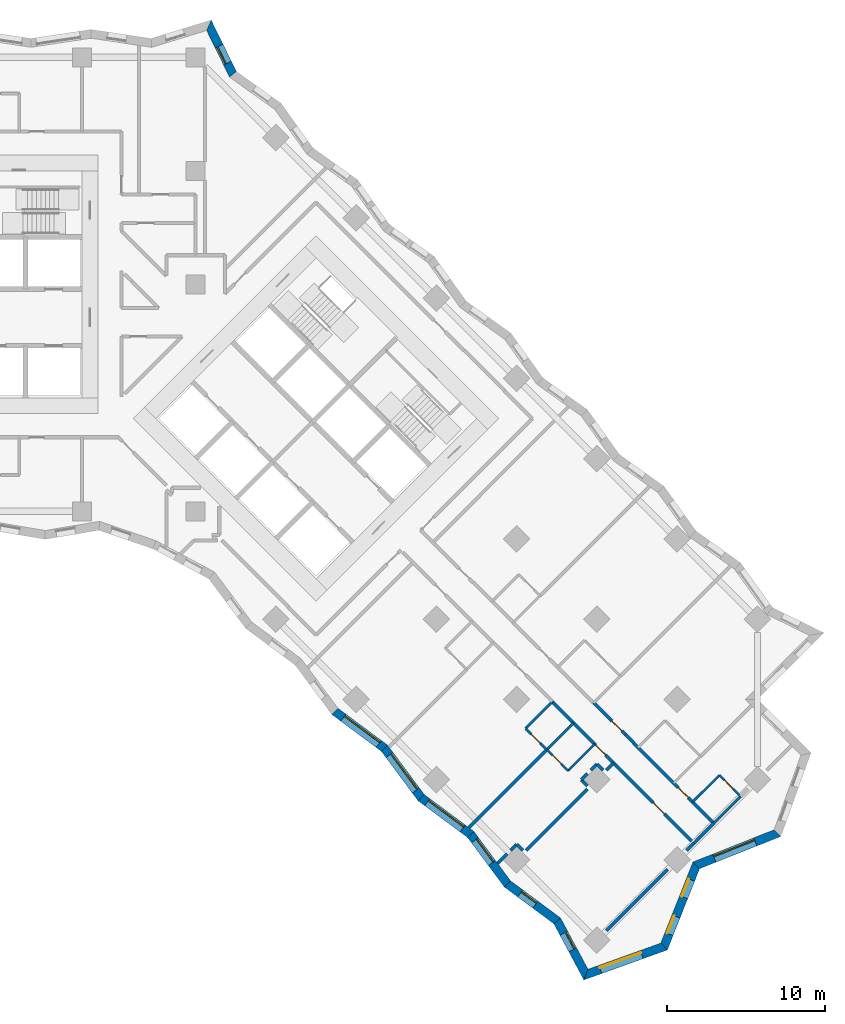
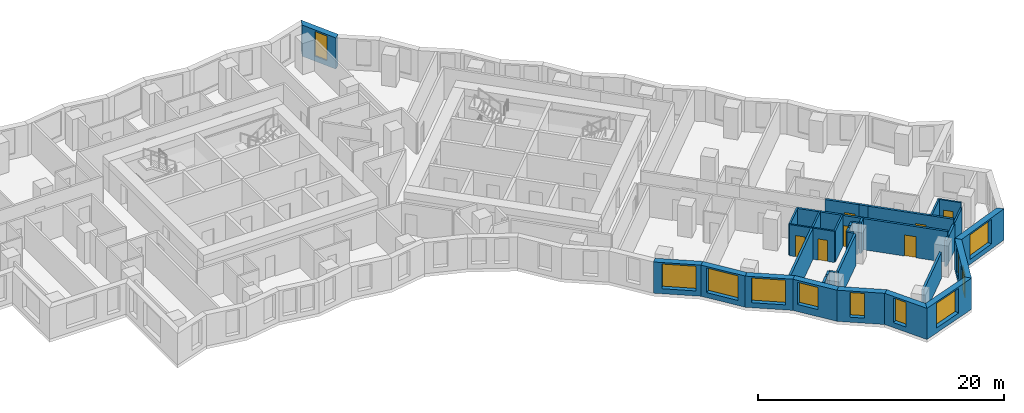
# One storey, part 7 of 12: 35 walls, 11 windows, 7 doors, 18 openings.
"""IFC4 building model written with IfcOpenShell, lengths in metres."""

from ifc_helpers import new_model, si_unit, direction, frame, frame_2d, origin, place, context, subcontext, project, spatial, polyline, rectangle, outline, extrude, material, layer, layer_set, type_object, element, fill, save


model = new_model("IFC4")

# Units and contexts
model_context = context("Model", 3, precision=1e-05, world=origin(), true_north=direction((0.0, 1.0)))
body_context = subcontext(model_context, "Body", "Model", "MODEL_VIEW")
ifc_project = project(units=[si_unit("LENGTHUNIT", "METRE"), si_unit("AREAUNIT", "SQUARE_METRE"), si_unit("VOLUMEUNIT", "CUBIC_METRE"), si_unit("PLANEANGLEUNIT", "RADIAN"), si_unit("MASSUNIT", "GRAM", prefix="KILO")], contexts=[model_context])

# Site, building, storey
site_placement = place(None, origin())
site = spatial("IfcSite", under=ifc_project, at=site_placement, CompositionType="ELEMENT")
building_placement = place(site_placement, origin())
building = spatial("IfcBuilding", under=site, at=building_placement, Name="Windrow Commons", CompositionType="ELEMENT")
storey_placement = place(building_placement, frame((0.0, 0.0, 57.6)))
storey = spatial("IfcBuildingStorey", under=building, at=storey_placement, Name="L15", CompositionType="ELEMENT", Elevation=57.6)

# Wall, opening, window
ifc_material_1 = material(Name="Brick masonry, red clay brick", Category="masonry")
ifc_layer_1 = layer(ifc_material_1, 0.55)
ifc_layer_set_1 = layer_set([ifc_layer_1], Name="Brick facade wall 550")
wall_type_1 = type_object("IfcWallType", Name="Brick facade wall 550", PredefinedType="SOLIDWALL", material=ifc_layer_set_1)
wall_1_placement = place(storey_placement, frame((103.9575, 13.8105, 0.0), z_axis=(0.0, 0.0, 1.0), x_axis=(0.9410697135, 0.3382126465, 0.0)))
wall_1 = element("IfcWall", 1, at=wall_1_placement, inside=storey, type_object=wall_type_1, Name="Brick facade wall L15 1", PredefinedType="SOLIDWALL", context=body_context, shape_type="SweptSolid", body=[
    extrude(outline(polyline([(-0.2375, -0.275), (5.3927, -0.275), (5.1444, 0.275), (0.2375, 0.275), (-0.2375, -0.275)])), origin(), (0.0, 0.0, 1.0), 3.1),
])
opening_1_placement = place(wall_1_placement, frame((0.9665, 0.0, 0.5)))
opening_1 = element("IfcOpeningElement", 2, at=opening_1_placement, cuts=wall_1, Name="Opening W1T", PredefinedType="OPENING", context=body_context, shape_type="SweptSolid", body=[
    extrude(rectangle(XDim=2.8, YDim=2.45, at=frame_2d((1.4, 1.225))), frame((0.0, 0.285, 0.0), z_axis=(0.0, -1.0, 0.0), x_axis=(1.0, 0.0, 0.0)), (0.0, 0.0, 1.0), 0.57),
])
ifc_material_2 = material(Name="Clear float glass in anodised aluminium frame", Category="aluminium")
window_type_1 = type_object("IfcWindowType", Name="Window W1T bedroom 2800x2450", PartitioningType="SINGLE_PANEL", PredefinedType="WINDOW", material=ifc_material_2)
window_1_placement = place(opening_1_placement, origin())
window_1 = element("IfcWindow", 3, at=window_1_placement, inside=storey, type_object=window_type_1, Name="Window L15 1.1", OverallHeight=2.45, OverallWidth=2.8, PartitioningType="SINGLE_PANEL", PredefinedType="WINDOW", context=body_context, shape_type="SweptSolid", body=[
    extrude(rectangle(XDim=2.8, YDim=2.45, at=frame_2d((1.4, 1.225))), frame((0.0, 0.155, 0.0), z_axis=(0.0, -1.0, 0.0), x_axis=(1.0, 0.0, 0.0)), (0.0, 0.0, 1.0), 0.06),
])
fill(opening_1, window_1)

# Wall, openings, windows
wall_2_placement = place(storey_placement, frame((108.9156, 15.5924, 0.0), z_axis=(0.0, 0.0, 1.0), x_axis=(0.36873566, 0.929534299, 0.0)))
wall_2 = element("IfcWall", 4, at=wall_2_placement, inside=storey, type_object=wall_type_1, Name="Brick facade wall L15 2", PredefinedType="SOLIDWALL", context=body_context, shape_type="SweptSolid", body=[
    extrude(outline(polyline([(-0.1242, -0.275), (5.4237, -0.275), (5.6613, 0.275), (0.1242, 0.275), (-0.1242, -0.275)])), origin(), (0.0, 0.0, 1.0), 3.1),
])
opening_2_placement = place(wall_2_placement, frame((0.8571, 0.0, 0.5)))
opening_2 = element("IfcOpeningElement", 5, at=opening_2_placement, cuts=wall_2, Name="Opening W7D", PredefinedType="OPENING", context=body_context, shape_type="SweptSolid", body=[
    extrude(rectangle(XDim=1.2, YDim=2.45, at=frame_2d((0.6, 1.225))), frame((0.0, 0.285, 0.0), z_axis=(0.0, -1.0, 0.0), x_axis=(1.0, 0.0, 0.0)), (0.0, 0.0, 1.0), 0.57),
])
opening_3_placement = place(wall_2_placement, frame((3.3663, 0.0, 0.5)))
opening_3 = element("IfcOpeningElement", 6, at=opening_3_placement, cuts=wall_2, Name="Opening W7D", PredefinedType="OPENING", context=body_context, shape_type="SweptSolid", body=[
    extrude(rectangle(XDim=1.2, YDim=2.45, at=frame_2d((0.6, 1.225))), frame((0.0, 0.285, 0.0), z_axis=(0.0, -1.0, 0.0), x_axis=(1.0, 0.0, 0.0)), (0.0, 0.0, 1.0), 0.57),
])
ifc_material_3 = material(Name="Clear float glass in anodised aluminium frame", Category="aluminium")
window_type_2 = type_object("IfcWindowType", Name="Window W7 notch 1200x2450", PartitioningType="SINGLE_PANEL", PredefinedType="WINDOW", material=ifc_material_3)
window_2_placement = place(opening_2_placement, origin())
window_2 = element("IfcWindow", 7, at=window_2_placement, inside=storey, type_object=window_type_2, Name="Window L15 2.1", OverallHeight=2.45, OverallWidth=1.2, PartitioningType="SINGLE_PANEL", PredefinedType="WINDOW", context=body_context, shape_type="SweptSolid", body=[
    extrude(rectangle(XDim=1.2, YDim=2.45, at=frame_2d((0.6, 1.225))), frame((0.0, 0.155, 0.0), z_axis=(0.0, -1.0, 0.0), x_axis=(1.0, 0.0, 0.0)), (0.0, 0.0, 1.0), 0.06),
])
fill(opening_2, window_2)
window_3_placement = place(opening_3_placement, origin())
window_3 = element("IfcWindow", 8, at=window_3_placement, inside=storey, type_object=window_type_2, Name="Window L15 2.2", OverallHeight=2.45, OverallWidth=1.2, PartitioningType="SINGLE_PANEL", PredefinedType="WINDOW", context=body_context, shape_type="SweptSolid", body=[
    extrude(rectangle(XDim=1.2, YDim=2.45, at=frame_2d((0.6, 1.225))), frame((0.0, 0.155, 0.0), z_axis=(0.0, -1.0, 0.0), x_axis=(1.0, 0.0, 0.0)), (0.0, 0.0, 1.0), 0.06),
])
fill(opening_3, window_3)

# Wall, opening, window
wall_3_placement = place(storey_placement, frame((110.9593, 20.7443, 0.0), z_axis=(0.0, 0.0, 1.0), x_axis=(0.929534299, 0.36873566, 0.0)))
wall_3 = element("IfcWall", 9, at=wall_3_placement, inside=storey, type_object=wall_type_1, Name="Brick facade wall L15 3", PredefinedType="SOLIDWALL", context=body_context, shape_type="SweptSolid", body=[
    extrude(outline(polyline([(0.1188, -0.275), (5.6666, -0.275), (5.4183, 0.275), (-0.1188, 0.275), (0.1188, -0.275)])), origin(), (0.0, 0.0, 1.0), 3.1),
])
opening_4_placement = place(wall_3_placement, frame((1.2257, 0.0, 0.5)))
opening_4 = element("IfcOpeningElement", 10, at=opening_4_placement, cuts=wall_3, Name="Opening W1T", PredefinedType="OPENING", context=body_context, shape_type="SweptSolid", body=[
    extrude(rectangle(XDim=2.8, YDim=2.45, at=frame_2d((1.4, 1.225))), frame((0.0, 0.285, 0.0), z_axis=(0.0, -1.0, 0.0), x_axis=(1.0, 0.0, 0.0)), (0.0, 0.0, 1.0), 0.57),
])
window_4_placement = place(opening_4_placement, origin())
window_4 = element("IfcWindow", 11, at=window_4_placement, inside=storey, type_object=window_type_1, Name="Window L15 3.1", OverallHeight=2.45, OverallWidth=2.8, PartitioningType="SINGLE_PANEL", PredefinedType="WINDOW", context=body_context, shape_type="SweptSolid", body=[
    extrude(rectangle(XDim=2.8, YDim=2.45, at=frame_2d((1.4, 1.225))), frame((0.0, 0.155, 0.0), z_axis=(0.0, -1.0, 0.0), x_axis=(1.0, 0.0, 0.0)), (0.0, 0.0, 1.0), 0.06),
])
fill(opening_4, window_4)

wall_4_placement = place(storey_placement, frame((81.5675, 70.9299, 0.0), z_axis=(0.0, 0.0, 1.0), x_axis=(-0.4410046113, 0.8975048372, 0.0)))
wall_4 = element("IfcWall", 12, at=wall_4_placement, inside=storey, type_object=wall_type_1, Name="Brick facade wall L15 22", PredefinedType="SOLIDWALL", context=body_context, shape_type="SweptSolid", body=[
    extrude(outline(polyline([(0.0693, -0.275), (3.7001, -0.275), (3.2309, 0.275), (-0.0693, 0.275), (0.0693, -0.275)])), origin(), (0.0, 0.0, 1.0), 3.1),
])
opening_5_placement = place(wall_4_placement, frame((0.7841, 0.0, 0.5)))
opening_5 = element("IfcOpeningElement", 13, at=opening_5_placement, cuts=wall_4, Name="Opening W7D", PredefinedType="OPENING", context=body_context, shape_type="SweptSolid", body=[
    extrude(rectangle(XDim=1.2, YDim=2.45, at=frame_2d((0.6, 1.225))), frame((0.0, 0.285, 0.0), z_axis=(0.0, -1.0, 0.0), x_axis=(1.0, 0.0, 0.0)), (0.0, 0.0, 1.0), 0.57),
])
window_5_placement = place(opening_5_placement, origin())
window_5 = element("IfcWindow", 14, at=window_5_placement, inside=storey, type_object=window_type_2, Name="Window L15 22.1", OverallHeight=2.45, OverallWidth=1.2, PartitioningType="SINGLE_PANEL", PredefinedType="WINDOW", context=body_context, shape_type="SweptSolid", body=[
    extrude(rectangle(XDim=1.2, YDim=2.45, at=frame_2d((0.6, 1.225))), frame((0.0, 0.155, 0.0), z_axis=(0.0, -1.0, 0.0), x_axis=(1.0, 0.0, 0.0)), (0.0, 0.0, 1.0), 0.06),
])
fill(opening_5, window_5)

wall_5_placement = place(storey_placement, frame((88.0339, 30.5062, 0.0), z_axis=(0.0, 0.0, 1.0), x_axis=(0.8029298561, -0.5960735241, 0.0)))
wall_5 = element("IfcWall", 15, at=wall_5_placement, inside=storey, type_object=wall_type_1, Name="Brick facade wall L15 58", PredefinedType="SOLIDWALL", context=body_context, shape_type="SweptSolid", body=[
    extrude(outline(polyline([(-0.0407, -0.275), (3.8702, -0.275), (3.9515, 0.275), (0.0407, 0.275), (-0.0407, -0.275)])), origin(), (0.0, 0.0, 1.0), 3.1),
])
opening_6_placement = place(wall_5_placement, frame((0.6641, 0.0, 0.5)))
opening_6 = element("IfcOpeningElement", 16, at=opening_6_placement, cuts=wall_5, Name="Opening W1T", PredefinedType="OPENING", context=body_context, shape_type="SweptSolid", body=[
    extrude(rectangle(XDim=2.8, YDim=2.45, at=frame_2d((1.4, 1.225))), frame((0.0, 0.285, 0.0), z_axis=(0.0, -1.0, 0.0), x_axis=(1.0, 0.0, 0.0)), (0.0, 0.0, 1.0), 0.57),
])
window_6_placement = place(opening_6_placement, origin())
window_6 = element("IfcWindow", 17, at=window_6_placement, inside=storey, type_object=window_type_1, Name="Window L15 58.1", OverallHeight=2.45, OverallWidth=2.8, PartitioningType="SINGLE_PANEL", PredefinedType="WINDOW", context=body_context, shape_type="SweptSolid", body=[
    extrude(rectangle(XDim=2.8, YDim=2.45, at=frame_2d((1.4, 1.225))), frame((0.0, 0.155, 0.0), z_axis=(0.0, -1.0, 0.0), x_axis=(1.0, 0.0, 0.0)), (0.0, 0.0, 1.0), 0.06),
])
fill(opening_6, window_6)

wall_6_placement = place(storey_placement, frame((91.1741, 28.175, 0.0), z_axis=(0.0, 0.0, 1.0), x_axis=(0.5960692771, -0.8029330089, 0.0)))
wall_6 = element("IfcWall", 18, at=wall_6_placement, inside=storey, type_object=wall_type_1, Name="Brick facade wall L15 59", PredefinedType="SOLIDWALL", context=body_context, shape_type="SweptSolid", body=[
    extrude(outline(polyline([(0.0407, -0.275), (3.9515, -0.275), (3.8702, 0.275), (-0.0407, 0.275), (0.0407, -0.275)])), origin(), (0.0, 0.0, 1.0), 3.1),
])
opening_7_placement = place(wall_6_placement, frame((0.5351, 0.0, 0.5)))
opening_7 = element("IfcOpeningElement", 19, at=opening_7_placement, cuts=wall_6, Name="Opening W1T", PredefinedType="OPENING", context=body_context, shape_type="SweptSolid", body=[
    extrude(rectangle(XDim=2.8, YDim=2.45, at=frame_2d((1.4, 1.225))), frame((0.0, 0.285, 0.0), z_axis=(0.0, -1.0, 0.0), x_axis=(1.0, 0.0, 0.0)), (0.0, 0.0, 1.0), 0.57),
])
window_7_placement = place(opening_7_placement, origin())
window_7 = element("IfcWindow", 20, at=window_7_placement, inside=storey, type_object=window_type_1, Name="Window L15 59.1", OverallHeight=2.45, OverallWidth=2.8, PartitioningType="SINGLE_PANEL", PredefinedType="WINDOW", context=body_context, shape_type="SweptSolid", body=[
    extrude(rectangle(XDim=2.8, YDim=2.45, at=frame_2d((1.4, 1.225))), frame((0.0, 0.155, 0.0), z_axis=(0.0, -1.0, 0.0), x_axis=(1.0, 0.0, 0.0)), (0.0, 0.0, 1.0), 0.06),
])
fill(opening_7, window_7)

wall_7_placement = place(storey_placement, frame((93.5052, 25.0349, 0.0), z_axis=(0.0, 0.0, 1.0), x_axis=(0.8029298561, -0.5960735241, 0.0)))
wall_7 = element("IfcWall", 21, at=wall_7_placement, inside=storey, type_object=wall_type_1, Name="Brick facade wall L15 60", PredefinedType="SOLIDWALL", context=body_context, shape_type="SweptSolid", body=[
    extrude(outline(polyline([(-0.0407, -0.275), (3.8702, -0.275), (3.9515, 0.275), (0.0407, 0.275), (-0.0407, -0.275)])), origin(), (0.0, 0.0, 1.0), 3.1),
])
opening_8_placement = place(wall_7_placement, frame((0.4769, 0.0, 0.5)))
opening_8 = element("IfcOpeningElement", 22, at=opening_8_placement, cuts=wall_7, Name="Opening W1T", PredefinedType="OPENING", context=body_context, shape_type="SweptSolid", body=[
    extrude(rectangle(XDim=2.8, YDim=2.45, at=frame_2d((1.4, 1.225))), frame((0.0, 0.285, 0.0), z_axis=(0.0, -1.0, 0.0), x_axis=(1.0, 0.0, 0.0)), (0.0, 0.0, 1.0), 0.57),
])
window_8_placement = place(opening_8_placement, origin())
window_8 = element("IfcWindow", 23, at=window_8_placement, inside=storey, type_object=window_type_1, Name="Window L15 60.1", OverallHeight=2.45, OverallWidth=2.8, PartitioningType="SINGLE_PANEL", PredefinedType="WINDOW", context=body_context, shape_type="SweptSolid", body=[
    extrude(rectangle(XDim=2.8, YDim=2.45, at=frame_2d((1.4, 1.225))), frame((0.0, 0.155, 0.0), z_axis=(0.0, -1.0, 0.0), x_axis=(1.0, 0.0, 0.0)), (0.0, 0.0, 1.0), 0.06),
])
fill(opening_8, window_8)

wall_8_placement = place(storey_placement, frame((96.6454, 22.7037, 0.0), z_axis=(0.0, 0.0, 1.0), x_axis=(0.5960735241, -0.8029298561, 0.0)))
wall_8 = element("IfcWall", 24, at=wall_8_placement, inside=storey, type_object=wall_type_1, Name="Brick facade wall L15 61", PredefinedType="SOLIDWALL", context=body_context, shape_type="SweptSolid", body=[
    extrude(outline(polyline([(0.0407, -0.275), (3.9515, -0.275), (3.8702, 0.275), (-0.0407, 0.275), (0.0407, -0.275)])), origin(), (0.0, 0.0, 1.0), 3.1),
])
opening_9_placement = place(wall_8_placement, frame((0.4563, 0.0, 0.7)))
opening_9 = element("IfcOpeningElement", 25, at=opening_9_placement, cuts=wall_8, Name="Opening W6", PredefinedType="OPENING", context=body_context, shape_type="SweptSolid", body=[
    extrude(rectangle(XDim=1.8, YDim=2.2, at=frame_2d((0.9, 1.1))), frame((0.0, 0.285, 0.0), z_axis=(0.0, -1.0, 0.0), x_axis=(1.0, 0.0, 0.0)), (0.0, 0.0, 1.0), 0.57),
])
ifc_material_4 = material(Name="Clear float glass in anodised aluminium frame", Category="aluminium")
window_type_3 = type_object("IfcWindowType", Name="Window W6 crown 1800x2200", PartitioningType="SINGLE_PANEL", PredefinedType="WINDOW", material=ifc_material_4)
window_9_placement = place(opening_9_placement, origin())
window_9 = element("IfcWindow", 26, at=window_9_placement, inside=storey, type_object=window_type_3, Name="Window L15 61.1A", OverallHeight=2.2, OverallWidth=1.8, PartitioningType="SINGLE_PANEL", PredefinedType="WINDOW", context=body_context, shape_type="SweptSolid", body=[
    extrude(rectangle(XDim=1.8, YDim=2.2, at=frame_2d((0.9, 1.1))), frame((0.0, 0.155, 0.0), z_axis=(0.0, -1.0, 0.0), x_axis=(1.0, 0.0, 0.0)), (0.0, 0.0, 1.0), 0.06),
])
fill(opening_9, window_9)

wall_9_placement = place(storey_placement, frame((98.9766, 19.5635, 0.0), z_axis=(0.0, 0.0, 1.0), x_axis=(0.8029173948, -0.5960903095, 0.0)))
wall_9 = element("IfcWall", 27, at=wall_9_placement, inside=storey, type_object=wall_type_1, Name="Brick facade wall L15 62", PredefinedType="SOLIDWALL", context=body_context, shape_type="SweptSolid", body=[
    extrude(outline(polyline([(-0.0407, -0.275), (3.8702, -0.275), (3.9935, 0.275), (0.0407, 0.275), (-0.0407, -0.275)])), origin(), (0.0, 0.0, 1.0), 3.1),
])
opening_10_placement = place(wall_9_placement, frame((1.0051, 0.0, 0.5)))
opening_10 = element("IfcOpeningElement", 28, at=opening_10_placement, cuts=wall_9, Name="Opening W7D", PredefinedType="OPENING", context=body_context, shape_type="SweptSolid", body=[
    extrude(rectangle(XDim=1.2, YDim=2.45, at=frame_2d((0.6, 1.225))), frame((0.0, 0.285, 0.0), z_axis=(0.0, -1.0, 0.0), x_axis=(1.0, 0.0, 0.0)), (0.0, 0.0, 1.0), 0.57),
])
window_10_placement = place(opening_10_placement, origin())
window_10 = element("IfcWindow", 29, at=window_10_placement, inside=storey, type_object=window_type_2, Name="Window L15 62.1", OverallHeight=2.45, OverallWidth=1.2, PartitioningType="SINGLE_PANEL", PredefinedType="WINDOW", context=body_context, shape_type="SweptSolid", body=[
    extrude(rectangle(XDim=1.2, YDim=2.45, at=frame_2d((0.6, 1.225))), frame((0.0, 0.155, 0.0), z_axis=(0.0, -1.0, 0.0), x_axis=(1.0, 0.0, 0.0)), (0.0, 0.0, 1.0), 0.06),
])
fill(opening_10, window_10)

wall_10_placement = place(storey_placement, frame((102.1335, 17.2198, 0.0), z_axis=(0.0, 0.0, 1.0), x_axis=(0.4717368949, -0.8817393617, 0.0)))
wall_10 = element("IfcWall", 30, at=wall_10_placement, inside=storey, type_object=wall_type_1, Name="Brick facade wall L15 63", PredefinedType="SOLIDWALL", context=body_context, shape_type="SweptSolid", body=[
    extrude(outline(polyline([(0.0616, -0.275), (4.1041, -0.275), (3.6291, 0.275), (-0.0616, 0.275), (0.0616, -0.275)])), origin(), (0.0, 0.0, 1.0), 3.1),
])
opening_11_placement = place(wall_10_placement, frame((0.8835, 0.0, 0.5)))
opening_11 = element("IfcOpeningElement", 31, at=opening_11_placement, cuts=wall_10, Name="Opening W7D", PredefinedType="OPENING", context=body_context, shape_type="SweptSolid", body=[
    extrude(rectangle(XDim=1.2, YDim=2.45, at=frame_2d((0.6, 1.225))), frame((0.0, 0.285, 0.0), z_axis=(0.0, -1.0, 0.0), x_axis=(1.0, 0.0, 0.0)), (0.0, 0.0, 1.0), 0.57),
])
window_11_placement = place(opening_11_placement, origin())
window_11 = element("IfcWindow", 32, at=window_11_placement, inside=storey, type_object=window_type_2, Name="Window L15 63.1", OverallHeight=2.45, OverallWidth=1.2, PartitioningType="SINGLE_PANEL", PredefinedType="WINDOW", context=body_context, shape_type="SweptSolid", body=[
    extrude(rectangle(XDim=1.2, YDim=2.45, at=frame_2d((0.6, 1.225))), frame((0.0, 0.155, 0.0), z_axis=(0.0, -1.0, 0.0), x_axis=(1.0, 0.0, 0.0)), (0.0, 0.0, 1.0), 0.06),
])
fill(opening_11, window_11)

# Wall, openings, doors
ifc_material_5 = material(Name="Blockwork partition", Category="masonry")
ifc_layer_2 = layer(ifc_material_5, 0.2)
ifc_layer_set_2 = layer_set([ifc_layer_2], Name="IW-CORRIDOR-200")
wall_type_2 = type_object("IfcWallType", Name="IW-CORRIDOR-200", PredefinedType="PARTITIONING", material=ifc_layer_set_2)
wall_11_placement = place(storey_placement, frame((101.8251, 31.1251, 0.0), z_axis=(0.0, 0.0, 1.0), x_axis=(0.7071067812, -0.7071067812, 0.0)))
wall_11 = element("IfcWall", 33, at=wall_11_placement, inside=storey, type_object=wall_type_2, Name="W-L15-W005", PredefinedType="PARTITIONING", context=body_context, shape_type="SweptSolid", body=[
    extrude(rectangle(XDim=12.6996, YDim=0.2, at=frame_2d((6.3498, 0.0))), origin(), (0.0, 0.0, 1.0), 3.1),
])
opening_12_placement = place(wall_11_placement, frame((3.8954, 0.0, 0.0)))
opening_12 = element("IfcOpeningElement", 34, at=opening_12_placement, cuts=wall_11, Name="Opening D109S", PredefinedType="OPENING", context=body_context, shape_type="SweptSolid", body=[
    extrude(rectangle(XDim=0.9, YDim=2.1, at=frame_2d((0.45, 1.05))), frame((0.0, 0.11, 0.0), z_axis=(0.0, -1.0, 0.0), x_axis=(1.0, 0.0, 0.0)), (0.0, 0.0, 1.0), 0.22),
])
opening_13_placement = place(wall_11_placement, frame((9.0562, 0.0, 0.0)))
opening_13 = element("IfcOpeningElement", 35, at=opening_13_placement, cuts=wall_11, Name="Opening D310F", PredefinedType="OPENING", context=body_context, shape_type="SweptSolid", body=[
    extrude(rectangle(XDim=1.0, YDim=2.1, at=frame_2d((0.5, 1.05))), frame((0.0, 0.11, 0.0), z_axis=(0.0, -1.0, 0.0), x_axis=(1.0, 0.0, 0.0)), (0.0, 0.0, 1.0), 0.22),
])
ifc_material_6 = material(Name="Timber door leaf", Category="wood")
door_type_1 = type_object("IfcDoorType", Name="DT-AMENITY-1000", OperationType="SINGLE_SWING_LEFT", PredefinedType="DOOR", material=ifc_material_6)
door_1_placement = place(opening_13_placement, origin())
door_1 = element("IfcDoor", 36, at=door_1_placement, inside=storey, type_object=door_type_1, Name="D-L15-D053", OperationType="SINGLE_SWING_RIGHT", OverallHeight=2.1, OverallWidth=1.0, PredefinedType="DOOR", context=body_context, shape_type="SweptSolid", body=[
    extrude(rectangle(XDim=1.0, YDim=2.1, at=frame_2d((0.5, 1.05))), frame((0.0, 0.025, 0.0), z_axis=(0.0, -1.0, 0.0), x_axis=(1.0, 0.0, 0.0)), (0.0, 0.0, 1.0), 0.05),
])
fill(opening_13, door_1)
ifc_material_7 = material(Name="Timber door leaf", Category="wood")
door_type_2 = type_object("IfcDoorType", Name="DT-BEDROOM-900", OperationType="SINGLE_SWING_LEFT", PredefinedType="DOOR", material=ifc_material_7)
door_2_placement = place(opening_12_placement, origin())
door_2 = element("IfcDoor", 37, at=door_2_placement, inside=storey, type_object=door_type_2, Name="D-L15-D051", OperationType="SINGLE_SWING_LEFT", OverallHeight=2.1, OverallWidth=0.9, PredefinedType="DOOR", context=body_context, shape_type="SweptSolid", body=[
    extrude(rectangle(XDim=0.9, YDim=2.1, at=frame_2d((0.45, 1.05))), frame((0.0, 0.025, 0.0), z_axis=(0.0, -1.0, 0.0), x_axis=(1.0, 0.0, 0.0)), (0.0, 0.0, 1.0), 0.05),
])
fill(opening_12, door_2)

# Wall, opening, door
wall_12_placement = place(storey_placement, frame((106.9869, 28.5089, 0.0), z_axis=(0.0, 0.0, 1.0), x_axis=(0.7071067812, -0.7071067812, 0.0)))
wall_12 = element("IfcWall", 38, at=wall_12_placement, inside=storey, type_object=wall_type_2, Name="W-L15-W021", PredefinedType="PARTITIONING", context=body_context, shape_type="SweptSolid", body=[
    extrude(rectangle(XDim=7.1983, YDim=0.2, at=frame_2d((3.5991, 0.0))), origin(), (0.0, 0.0, 1.0), 3.1),
])
opening_14_placement = place(wall_12_placement, frame((4.0038, 0.0, 0.0)))
opening_14 = element("IfcOpeningElement", 39, at=opening_14_placement, cuts=wall_12, Name="Opening D109S", PredefinedType="OPENING", context=body_context, shape_type="SweptSolid", body=[
    extrude(rectangle(XDim=0.9, YDim=2.1, at=frame_2d((0.45, 1.05))), frame((0.0, 0.11, 0.0), z_axis=(0.0, -1.0, 0.0), x_axis=(1.0, 0.0, 0.0)), (0.0, 0.0, 1.0), 0.22),
])
door_3_placement = place(opening_14_placement, origin())
door_3 = element("IfcDoor", 40, at=door_3_placement, inside=storey, type_object=door_type_2, Name="D-L15-D054", OperationType="SINGLE_SWING_RIGHT", OverallHeight=2.1, OverallWidth=0.9, PredefinedType="DOOR", context=body_context, shape_type="SweptSolid", body=[
    extrude(rectangle(XDim=0.9, YDim=2.1, at=frame_2d((0.45, 1.05))), frame((0.0, 0.025, 0.0), z_axis=(0.0, -1.0, 0.0), x_axis=(1.0, 0.0, 0.0)), (0.0, 0.0, 1.0), 0.05),
])
fill(opening_14, door_3)

wall_13_placement = place(storey_placement, frame((104.4448, 31.0588, 0.0), z_axis=(0.0, 0.0, 1.0), x_axis=(0.7074545101, -0.7067588812, 0.0)))
wall_13 = element("IfcWall", 41, at=wall_13_placement, inside=storey, type_object=wall_type_2, Name="W-L15-W064", PredefinedType="PARTITIONING", context=body_context, shape_type="SweptSolid", body=[
    extrude(rectangle(XDim=2.8751, YDim=0.2, at=frame_2d((1.4376, 0.0))), origin(), (0.0, 0.0, 1.0), 3.1),
])
opening_15_placement = place(wall_13_placement, frame((1.6264, 0.0, 0.0)))
opening_15 = element("IfcOpeningElement", 42, at=opening_15_placement, cuts=wall_13, Name="Opening D109F", PredefinedType="OPENING", context=body_context, shape_type="SweptSolid", body=[
    extrude(rectangle(XDim=0.9, YDim=2.1, at=frame_2d((0.45, 1.05))), frame((0.0, 0.11, 0.0), z_axis=(0.0, -1.0, 0.0), x_axis=(1.0, 0.0, 0.0)), (0.0, 0.0, 1.0), 0.22),
])
door_4_placement = place(opening_15_placement, origin())
door_4 = element("IfcDoor", 43, at=door_4_placement, inside=storey, type_object=door_type_2, Name="D-L15-D044", OperationType="SINGLE_SWING_RIGHT", OverallHeight=2.1, OverallWidth=0.9, PredefinedType="DOOR", context=body_context, shape_type="SweptSolid", body=[
    extrude(rectangle(XDim=0.9, YDim=2.1, at=frame_2d((0.45, 1.05))), frame((0.0, 0.025, 0.0), z_axis=(0.0, -1.0, 0.0), x_axis=(1.0, 0.0, 0.0)), (0.0, 0.0, 1.0), 0.05),
])
fill(opening_15, door_4)

# Walls
wall_14_placement = place(storey_placement, frame((110.8109, 22.1451, 0.0), z_axis=(0.0, 0.0, 1.0), x_axis=(0.7065510983, 0.7076620277, 0.0)))
element("IfcWall", 44, at=wall_14_placement, inside=storey, type_object=wall_type_2, Name="W-L15-W130", PredefinedType="PARTITIONING", context=body_context, shape_type="SweptSolid", body=[
    extrude(rectangle(XDim=1.8003, YDim=0.2, at=frame_2d((0.9002, 0.0))), origin(), (0.0, 0.0, 1.0), 2.6),
])
wall_15_placement = place(storey_placement, frame((106.4763, 29.0243, 0.0), z_axis=(0.0, 0.0, 1.0), x_axis=(0.7057270646, -0.7084838109, 0.0)))
element("IfcWall", 45, at=wall_15_placement, inside=storey, type_object=wall_type_2, Name="W-L15-W150", PredefinedType="PARTITIONING", context=body_context, shape_type="SweptSolid", body=[
    extrude(rectangle(XDim=0.7255, YDim=0.2, at=frame_2d((0.3628, 0.0))), origin(), (0.0, 0.0, 1.0), 3.1),
])
ifc_material_8 = material(Name="Blockwork partition", Category="masonry")
ifc_layer_3 = layer(ifc_material_8, 0.15)
ifc_layer_set_3 = layer_set([ifc_layer_3], Name="IW-ENSUITE-150")
wall_type_3 = type_object("IfcWallType", Name="IW-ENSUITE-150", PredefinedType="PARTITIONING", material=ifc_layer_set_3)
wall_16_placement = place(storey_placement, frame((100.1293, 29.4327, 0.0), z_axis=(0.0, 0.0, 1.0), x_axis=(0.7071067812, 0.7071067812, 0.0)))
element("IfcWall", 46, at=wall_16_placement, inside=storey, type_object=wall_type_3, Name="W-L15-W073", PredefinedType="PARTITIONING", context=body_context, shape_type="SweptSolid", body=[
    extrude(rectangle(XDim=2.4013, YDim=0.15, at=frame_2d((1.2006, 0.0))), origin(), (0.0, 0.0, 1.0), 3.1),
])
wall_17_placement = place(storey_placement, frame((112.077, 23.425, 0.0), z_axis=(0.0, 0.0, 1.0), x_axis=(0.7075233388, 0.706689978, 0.0)))
element("IfcWall", 47, at=wall_17_placement, inside=storey, type_object=wall_type_3, Name="W-L15-W101", PredefinedType="PARTITIONING", context=body_context, shape_type="SweptSolid", body=[
    extrude(rectangle(XDim=2.3999, YDim=0.15, at=frame_2d((1.2, 0.0))), origin(), (0.0, 0.0, 1.0), 2.6),
])
for number, where, z_axis, x_axis, name in (
    (48, (101.477, 28.085, 0.0), (0.0, 0.0, 1.0), (0.706689978, 0.7075233388, 0.0), "W-L15-W102"),
    (49, (110.7335, 24.7685, 0.0), (0.0, 0.0, 1.0), (0.7075233388, 0.706689978, 0.0), "W-L15-W105"),
):
    element("IfcWall", number, at=place(storey_placement, frame(where, z_axis=z_axis, x_axis=x_axis)), inside=storey, type_object=wall_type_3, Name=name, PredefinedType="PARTITIONING", context=body_context, shape_type="SweptSolid", body=[
        extrude(rectangle(XDim=2.3999, YDim=0.15, at=frame_2d((1.2, 0.0))), origin(), (0.0, 0.0, 1.0), 3.1),
    ])
wall_18_placement = place(storey_placement, frame((102.8173, 26.7467, 0.0), z_axis=(0.0, 0.0, 1.0), x_axis=(0.7071067812, 0.7071067812, 0.0)))
element("IfcWall", 50, at=wall_18_placement, inside=storey, type_object=wall_type_3, Name="W-L15-W107", PredefinedType="PARTITIONING", context=body_context, shape_type="SweptSolid", body=[
    extrude(rectangle(XDim=2.3985, YDim=0.15, at=frame_2d((1.1992, 0.0))), origin(), (0.0, 0.0, 1.0), 3.1),
])

# Wall, opening, door
wall_19_placement = place(storey_placement, frame((100.1271, 29.4291, 0.0), z_axis=(0.0, 0.0, 1.0), x_axis=(0.7071067812, -0.7071067812, 0.0)))
wall_19 = element("IfcWall", 51, at=wall_19_placement, inside=storey, type_object=wall_type_3, Name="W-L15-W114", PredefinedType="PARTITIONING", context=body_context, shape_type="SweptSolid", body=[
    extrude(rectangle(XDim=1.9007, YDim=0.15, at=frame_2d((0.9504, 0.0))), origin(), (0.0, 0.0, 1.0), 3.1),
])
opening_16_placement = place(wall_19_placement, frame((0.5077, 0.0, 0.0)))
opening_16 = element("IfcOpeningElement", 52, at=opening_16_placement, cuts=wall_19, Name="Opening D208N", PredefinedType="OPENING", context=body_context, shape_type="SweptSolid", body=[
    extrude(rectangle(XDim=0.8, YDim=2.1, at=frame_2d((0.4, 1.05))), frame((0.0, 0.085, 0.0), z_axis=(0.0, -1.0, 0.0), x_axis=(1.0, 0.0, 0.0)), (0.0, 0.0, 1.0), 0.17),
])
ifc_material_9 = material(Name="Timber door leaf", Category="wood")
door_type_3 = type_object("IfcDoorType", Name="DT-ENSUITE-800", OperationType="SINGLE_SWING_LEFT", PredefinedType="DOOR", material=ifc_material_9)
door_5_placement = place(opening_16_placement, origin())
door_5 = element("IfcDoor", 53, at=door_5_placement, inside=storey, type_object=door_type_3, Name="D-L15-D050", OperationType="SINGLE_SWING_RIGHT", OverallHeight=2.1, OverallWidth=0.8, PredefinedType="DOOR", context=body_context, shape_type="SweptSolid", body=[
    extrude(rectangle(XDim=0.8, YDim=2.1, at=frame_2d((0.4, 1.05))), frame((0.0, 0.025, 0.0), z_axis=(0.0, -1.0, 0.0), x_axis=(1.0, 0.0, 0.0)), (0.0, 0.0, 1.0), 0.05),
])
fill(opening_16, door_5)

wall_20_placement = place(storey_placement, frame((112.431, 26.459, 0.0), z_axis=(0.0, 0.0, 1.0), x_axis=(0.7071067812, -0.7071067812, 0.0)))
wall_20 = element("IfcWall", 54, at=wall_20_placement, inside=storey, type_object=wall_type_3, Name="W-L15-W116", PredefinedType="PARTITIONING", context=body_context, shape_type="SweptSolid", body=[
    extrude(rectangle(XDim=1.9007, YDim=0.15, at=frame_2d((0.9504, 0.0))), origin(), (0.0, 0.0, 1.0), 3.1),
])
opening_17_placement = place(wall_20_placement, frame((0.431, 0.0, 0.0)))
opening_17 = element("IfcOpeningElement", 55, at=opening_17_placement, cuts=wall_20, Name="Opening D208N", PredefinedType="OPENING", context=body_context, shape_type="SweptSolid", body=[
    extrude(rectangle(XDim=0.8, YDim=2.1, at=frame_2d((0.4, 1.05))), frame((0.0, 0.085, 0.0), z_axis=(0.0, -1.0, 0.0), x_axis=(1.0, 0.0, 0.0)), (0.0, 0.0, 1.0), 0.17),
])
door_6_placement = place(opening_17_placement, origin())
door_6 = element("IfcDoor", 56, at=door_6_placement, inside=storey, type_object=door_type_3, Name="D-L15-D055", OperationType="SINGLE_SWING_RIGHT", OverallHeight=2.1, OverallWidth=0.8, PredefinedType="DOOR", context=body_context, shape_type="SweptSolid", body=[
    extrude(rectangle(XDim=0.8, YDim=2.1, at=frame_2d((0.4, 1.05))), frame((0.0, 0.025, 0.0), z_axis=(0.0, -1.0, 0.0), x_axis=(1.0, 0.0, 0.0)), (0.0, 0.0, 1.0), 0.05),
])
fill(opening_17, door_6)

wall_21_placement = place(storey_placement, frame((101.4772, 28.0912, 0.0), z_axis=(0.0, 0.0, 1.0), x_axis=(0.7076330979, -0.7065800724, 0.0)))
wall_21 = element("IfcWall", 57, at=wall_21_placement, inside=storey, type_object=wall_type_3, Name="W-L15-W127", PredefinedType="PARTITIONING", context=body_context, shape_type="SweptSolid", body=[
    extrude(rectangle(XDim=1.8993, YDim=0.15, at=frame_2d((0.9496, 0.0))), origin(), (0.0, 0.0, 1.0), 3.1),
])
opening_18_placement = place(wall_21_placement, frame((0.5015, 0.0, 0.0)))
opening_18 = element("IfcOpeningElement", 58, at=opening_18_placement, cuts=wall_21, Name="Opening D208N", PredefinedType="OPENING", context=body_context, shape_type="SweptSolid", body=[
    extrude(rectangle(XDim=0.8, YDim=2.1, at=frame_2d((0.4, 1.05))), frame((0.0, 0.085, 0.0), z_axis=(0.0, -1.0, 0.0), x_axis=(1.0, 0.0, 0.0)), (0.0, 0.0, 1.0), 0.17),
])
door_7_placement = place(opening_18_placement, origin())
door_7 = element("IfcDoor", 59, at=door_7_placement, inside=storey, type_object=door_type_3, Name="D-L15-D052", OperationType="SINGLE_SWING_RIGHT", OverallHeight=2.1, OverallWidth=0.8, PredefinedType="DOOR", context=body_context, shape_type="SweptSolid", body=[
    extrude(rectangle(XDim=0.8, YDim=2.1, at=frame_2d((0.4, 1.05))), frame((0.0, 0.025, 0.0), z_axis=(0.0, -1.0, 0.0), x_axis=(1.0, 0.0, 0.0)), (0.0, 0.0, 1.0), 0.05),
])
fill(opening_18, door_7)

# Walls
ifc_material_10 = material(Name="Blockwork partition", Category="masonry")
ifc_layer_4 = layer(ifc_material_10, 0.2)
ifc_layer_set_4 = layer_set([ifc_layer_4], Name="IW-PARTY-200")
wall_type_4 = type_object("IfcWallType", Name="IW-PARTY-200", PredefinedType="PARTITIONING", material=ifc_layer_set_4)
wall_22_placement = place(storey_placement, frame((96.5216, 23.1381, 0.0), z_axis=(0.0, 0.0, 1.0), x_axis=(0.707113922, 0.7070996403, 0.0)))
element("IfcWall", 60, at=wall_22_placement, inside=storey, type_object=wall_type_4, Name="W-L15-W025", PredefinedType="PARTITIONING", context=body_context, shape_type="SweptSolid", body=[
    extrude(rectangle(XDim=7.002, YDim=0.2, at=frame_2d((3.501, 0.0))), origin(), (0.0, 0.0, 1.0), 3.1),
])
wall_23_placement = place(storey_placement, frame((100.1634, 21.6886, 0.0), z_axis=(0.0, 0.0, 1.0), x_axis=(0.7071067812, 0.7071067812, 0.0)))
element("IfcWall", 61, at=wall_23_placement, inside=storey, type_object=wall_type_4, Name="W-L15-W033", PredefinedType="PARTITIONING", context=body_context, shape_type="SweptSolid", body=[
    extrude(rectangle(XDim=5.5041, YDim=0.2, at=frame_2d((2.7521, 0.0))), origin(), (0.0, 0.0, 1.0), 3.1),
])
wall_24_placement = place(storey_placement, frame((105.257, 16.597, 0.0), z_axis=(0.0, 0.0, 1.0), x_axis=(0.7072884866, 0.706925029, 0.0)))
element("IfcWall", 62, at=wall_24_placement, inside=storey, type_object=wall_type_4, Name="W-L15-W034", PredefinedType="PARTITIONING", context=body_context, shape_type="SweptSolid", body=[
    extrude(rectangle(XDim=5.5027, YDim=0.2, at=frame_2d((2.7513, 0.0))), origin(), (0.0, 0.0, 1.0), 2.6),
])
wall_25_placement = place(storey_placement, frame((98.3515, 20.8668, 0.0), z_axis=(0.0, 0.0, 1.0), x_axis=(0.7071645631, 0.7070489945, 0.0)))
element("IfcWall", 63, at=wall_25_placement, inside=storey, type_object=wall_type_4, Name="W-L15-W149", PredefinedType="PARTITIONING", context=body_context, shape_type="SweptSolid", body=[
    extrude(rectangle(XDim=0.8653, YDim=0.2, at=frame_2d((0.4326, 0.0))), origin(), (0.0, 0.0, 1.0), 3.1),
])
wall_26_placement = place(storey_placement, frame((110.3465, 21.6895, 0.0), z_axis=(0.0, 0.0, 1.0), x_axis=(0.7071067812, 0.7071067812, 0.0)))
element("IfcWall", 64, at=wall_26_placement, inside=storey, type_object=wall_type_4, Name="W-L15-W154", PredefinedType="PARTITIONING", context=body_context, shape_type="SweptSolid", body=[
    extrude(rectangle(XDim=0.6505, YDim=0.2, at=frame_2d((0.3252, 0.0))), origin(), (0.0, 0.0, 1.0), 2.6),
])
wall_27_placement = place(storey_placement, frame((105.2554, 26.7806, 0.0), z_axis=(0.0, 0.0, 1.0), x_axis=(0.7071067812, 0.7071067812, 0.0)))
element("IfcWall", 65, at=wall_27_placement, inside=storey, type_object=wall_type_4, Name="W-L15-W155", PredefinedType="PARTITIONING", context=body_context, shape_type="SweptSolid", body=[
    extrude(rectangle(XDim=0.6505, YDim=0.2, at=frame_2d((0.3252, 0.0))), origin(), (0.0, 0.0, 1.0), 3.1),
])
for number, where, z_axis, x_axis, name in (
    (66, (99.5683, 22.0823, 0.0), (0.0, 0.0, 1.0), (0.7071067812, -0.7071067812, 0.0), "W-L15-W156"),
    (67, (99.1734, 21.6886, 0.0), (0.0, 0.0, 1.0), (0.7071067812, 0.7071067812, 0.0), "W-L15-W157"),
    (68, (103.6614, 26.1766, 0.0), (0.0, 0.0, 1.0), (0.7071067812, 0.7071067812, 0.0), "W-L15-W158"),
    (69, (103.6625, 26.1765, 0.0), (0.0, 0.0, 1.0), (0.7071067812, -0.7071067812, 0.0), "W-L15-W159"),
):
    element("IfcWall", number, at=place(storey_placement, frame(where, z_axis=z_axis, x_axis=x_axis)), inside=storey, type_object=wall_type_4, Name=name, PredefinedType="PARTITIONING", context=body_context, shape_type="SweptSolid", body=[
        extrude(rectangle(XDim=0.5572, YDim=0.2, at=frame_2d((0.2786, 0.0))), origin(), (0.0, 0.0, 1.0), 3.1),
    ])
wall_28_placement = place(storey_placement, frame((104.2625, 26.7835, 0.0), z_axis=(0.0, 0.0, 1.0), x_axis=(0.7089037401, 0.705305244, 0.0)))
element("IfcWall", 70, at=wall_28_placement, inside=storey, type_object=wall_type_4, Name="W-L15-W160", PredefinedType="PARTITIONING", context=body_context, shape_type="SweptSolid", body=[
    extrude(rectangle(XDim=0.5558, YDim=0.2, at=frame_2d((0.2779, 0.0))), origin(), (0.0, 0.0, 1.0), 3.1),
])
wall_29_placement = place(storey_placement, frame((104.6605, 27.1725, 0.0), z_axis=(0.0, 0.0, 1.0), x_axis=(0.7071067812, -0.7071067812, 0.0)))
element("IfcWall", 71, at=wall_29_placement, inside=storey, type_object=wall_type_4, Name="W-L15-W161", PredefinedType="PARTITIONING", context=body_context, shape_type="SweptSolid", body=[
    extrude(rectangle(XDim=0.5544, YDim=0.2, at=frame_2d((0.2772, 0.0))), origin(), (0.0, 0.0, 1.0), 3.1),
])

save(model, "model.ifc")
